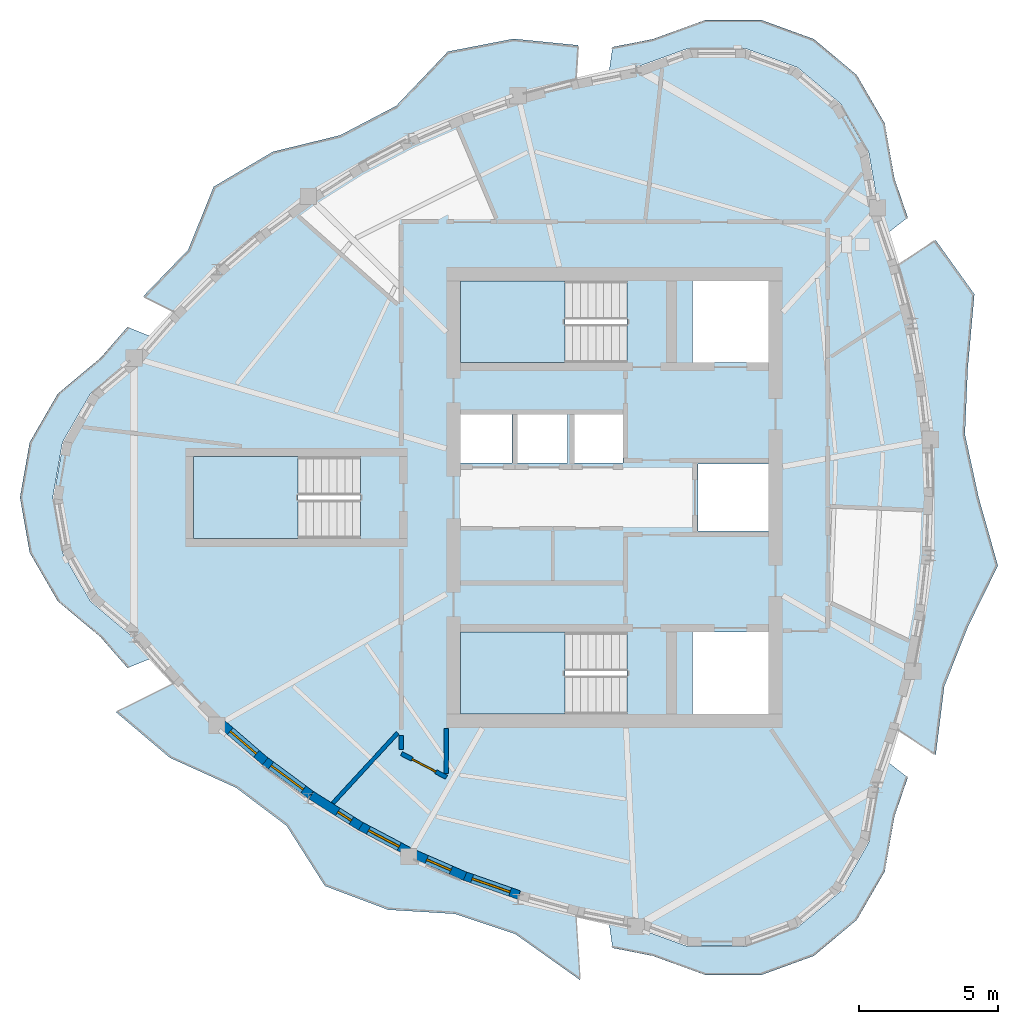
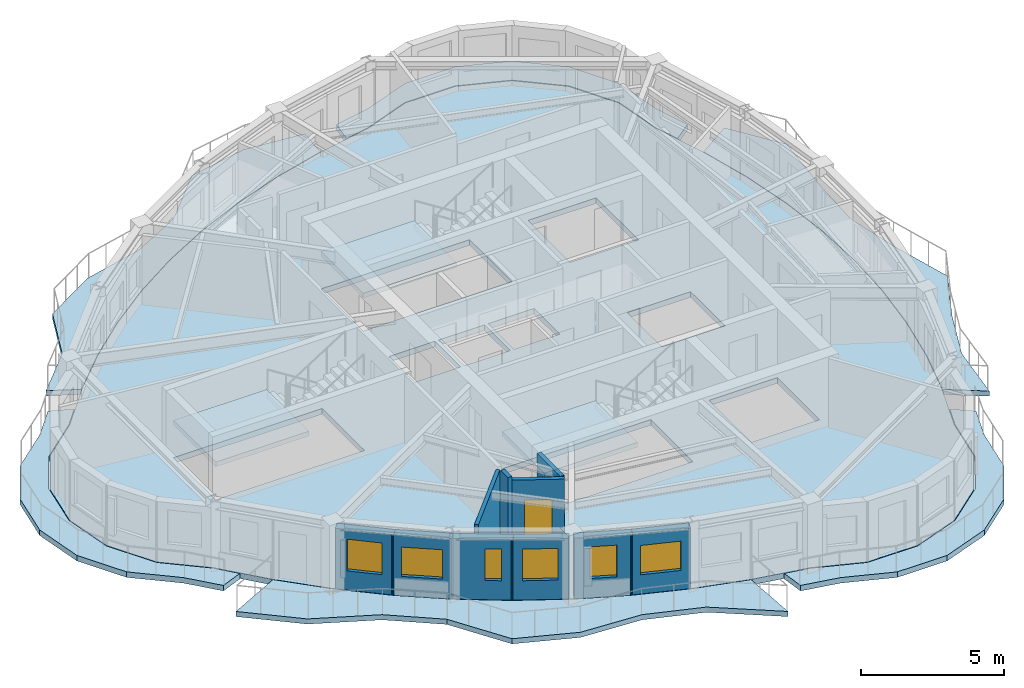
# One storey, part 2 of 12: 10 slabs, 10 walls, 6 windows, 1 door, 7 openings, 3 elements without a shape of their own.
"""IFC4 building model written with IfcOpenShell, lengths in metres."""

import ifcopenshell
import ifcopenshell.guid

model = None  # the IFC model being written
_history = None  # IfcOwnerHistory: only IFC2X3 demands one
_inside = {}  # id of a spatial element -> (the spatial element, [elements in it])
_under = {}  # id of a project, library or spatial element -> (it, [spatial elements below it])
_declared = {}  # id of a project -> (the project, [libraries it declares])
_typed = {}  # id of a type object -> (the type object, [elements of that type])
_made_of = {}  # id of a material, layer set ... -> (it, [elements and type objects made of it])


def new_model(schema):
    """Start an empty IFC model of exactly this schema.

    Asked for "IFC4X3", IfcOpenShell would pick the latest addendum, in which some entities
    have other attributes; the version numbers below select the first issue.
    IFC2X3 requires an IfcOwnerHistory on every rooted entity: one is made here for all.
    """
    global model, _history
    if schema == "IFC4X3":
        model = ifcopenshell.file(schema_version=(4, 3, 0, 0))
    else:
        model = ifcopenshell.file(schema=schema)
    _inside.clear()
    _under.clear()
    _declared.clear()
    _typed.clear()
    _made_of.clear()
    _history = None
    if model.schema == "IFC2X3":
        org = make("IfcOrganization", Name="unknown")
        user = make(
            "IfcPersonAndOrganization",
            ThePerson=make("IfcPerson", FamilyName="unknown"),
            TheOrganization=org,
        )
        app = make(
            "IfcApplication",
            ApplicationDeveloper=org,
            Version="unknown",
            ApplicationFullName="unknown",
            ApplicationIdentifier="unknown",
        )
        _history = make(
            "IfcOwnerHistory",
            OwningUser=user,
            OwningApplication=app,
            ChangeAction="ADDED",
            CreationDate=0,
        )
    return model


def make(cls, **values):
    """One entity of the class cls with the attributes given. An attribute that is None is left unset."""
    return model.create_entity(
        cls, **{name: value for name, value in values.items() if value is not None}
    )


def rooted(cls, **values):
    """An entity with a GlobalId (a new one), such as an element, a storey or a relation."""
    return make(cls, GlobalId=ifcopenshell.guid.new(), OwnerHistory=_history, **values)


def si_unit(unit_type, name, prefix=None):
    """IfcSIUnit, for example si_unit("LENGTHUNIT", "METRE", prefix="MILLI")."""
    return make("IfcSIUnit", UnitType=unit_type, Prefix=prefix, Name=name)


def assignment(units):
    """IfcUnitAssignment: the units of a project."""
    return None if units is None else make("IfcUnitAssignment", Units=units)


def point(xyz):
    """IfcCartesianPoint."""
    return None if xyz is None else make("IfcCartesianPoint", Coordinates=xyz)


def direction(xyz):
    """IfcDirection."""
    return None if xyz is None else make("IfcDirection", DirectionRatios=xyz)


def frame(location, z_axis=None, x_axis=None):
    """IfcAxis2Placement3D, a coordinate frame: its origin and axes. An axis left out is left unset."""
    return make(
        "IfcAxis2Placement3D",
        Location=point(location),
        Axis=direction(z_axis),
        RefDirection=direction(x_axis),
    )


def frame_2d(location, x_axis=None):
    """IfcAxis2Placement2D, a coordinate frame in the plane: its origin and x axis."""
    return make(
        "IfcAxis2Placement2D", Location=point(location), RefDirection=direction(x_axis)
    )


def origin():
    """The frame at (0, 0, 0) with its axes left unset."""
    return frame((0.0, 0.0, 0.0))


def place(relative_to, where):
    """IfcLocalPlacement: puts the frame where relative to a parent placement (None: the world)."""
    return make(
        "IfcLocalPlacement", PlacementRelTo=relative_to, RelativePlacement=where
    )


def context(
    kind, dimensions, precision=None, world=None, true_north=None, identifier=None
):
    """IfcGeometricRepresentationContext, for example the 3D "Model" context."""
    return make(
        "IfcGeometricRepresentationContext",
        ContextIdentifier=identifier,
        ContextType=kind,
        CoordinateSpaceDimension=dimensions,
        Precision=precision,
        WorldCoordinateSystem=world,
        TrueNorth=true_north,
    )


def subcontext(parent, identifier, kind, view, scale=None):
    """IfcGeometricRepresentationSubContext, for example "Body" below "Model"."""
    return make(
        "IfcGeometricRepresentationSubContext",
        ContextIdentifier=identifier,
        ContextType=kind,
        ParentContext=parent,
        TargetScale=scale,
        TargetView=view,
    )


def project(units=None, contexts=None):
    """IfcProject with its units and contexts."""
    return rooted(
        "IfcProject",
        Name="project",
        RepresentationContexts=contexts,
        UnitsInContext=assignment(units),
    )


def spatial(cls, under=None, at=None, **own):
    """A site, building, storey or space (cls), placed at a placement, below another one or the project."""
    s = rooted(cls, ObjectPlacement=at, **own)
    if under is not None:
        _under.setdefault(under.id(), (under, []))[1].append(s)
    return s


def polyline(points):
    """IfcPolyline through the points."""
    return make("IfcPolyline", Points=[point(p) for p in points])


def profile(cls, at=None, kind="AREA", **sizes):
    """A parametric profile (cls). Its sizes go by their IFC names, for example OverallWidth=200.0."""
    return make(cls, ProfileType=kind, Position=at, **sizes)


def rectangle(**sizes):
    """IfcRectangleProfileDef."""
    return profile("IfcRectangleProfileDef", **sizes)


def outline(outer, holes=None, kind="AREA"):
    """IfcArbitraryClosedProfileDef: a profile drawn as a closed curve; with holes, ...WithVoids."""
    if holes is None:
        return make("IfcArbitraryClosedProfileDef", ProfileType=kind, OuterCurve=outer)
    return make(
        "IfcArbitraryProfileDefWithVoids",
        ProfileType=kind,
        OuterCurve=outer,
        InnerCurves=holes,
    )


def extrude(swept, where, along, depth):
    """IfcExtrudedAreaSolid: the profile swept, set in the frame where, extruded along a direction by depth."""
    return make(
        "IfcExtrudedAreaSolid",
        SweptArea=swept,
        Position=where,
        ExtrudedDirection=direction(along),
        Depth=depth,
    )


def shape(context_of_items, identifier, shape_type, items):
    """IfcShapeRepresentation: the items that make up one representation, for example the "Body"."""
    return make(
        "IfcShapeRepresentation",
        ContextOfItems=context_of_items,
        RepresentationIdentifier=identifier,
        RepresentationType=shape_type,
        Items=items,
    )


def source(mapping_origin, context_of_items, identifier, shape_type, items):
    """IfcRepresentationMap: a shape defined once, which mapped items show again and again."""
    return make(
        "IfcRepresentationMap",
        MappingOrigin=mapping_origin,
        MappedRepresentation=shape(context_of_items, identifier, shape_type, items),
    )


def transform(
    local_origin,
    x_axis=None,
    y_axis=None,
    z_axis=None,
    scale=None,
    scale2=None,
    scale3=None,
    uniform=True,
):
    """IfcCartesianTransformationOperator3D, or its non-uniform kind. x_axis, y_axis, z_axis: its Axis1, 2, 3."""
    if uniform:
        return make(
            "IfcCartesianTransformationOperator3D",
            Axis1=direction(x_axis),
            Axis2=direction(y_axis),
            LocalOrigin=point(local_origin),
            Scale=scale,
            Axis3=direction(z_axis),
        )
    return make(
        "IfcCartesianTransformationOperator3DnonUniform",
        Axis1=direction(x_axis),
        Axis2=direction(y_axis),
        LocalOrigin=point(local_origin),
        Scale=scale,
        Axis3=direction(z_axis),
        Scale2=scale2,
        Scale3=scale3,
    )


def mapped(mapping_source, mapping_target):
    """IfcMappedItem: shows the shape of a source again, moved by a transform."""
    return make(
        "IfcMappedItem", MappingSource=mapping_source, MappingTarget=mapping_target
    )


def material(Name=None, Category=None):
    """IfcMaterial."""
    return make("IfcMaterial", Name=Name, Category=Category)


def layer(
    of_material, thickness, ventilated=None, Name=None, Category=None, Priority=None
):
    """IfcMaterialLayer: one layer of a wall or slab, of a material (None: an air gap)."""
    return make(
        "IfcMaterialLayer",
        Material=of_material,
        LayerThickness=thickness,
        IsVentilated=ventilated,
        Name=Name,
        Category=Category,
        Priority=Priority,
    )


def layer_set(layers, Name=None):
    """IfcMaterialLayerSet."""
    return make("IfcMaterialLayerSet", MaterialLayers=layers, LayerSetName=Name)


def made_of(thing, what):
    """Note that an element or type object is made of a material, layer set ...; save() writes the relation."""
    if what is not None:
        _made_of.setdefault(what.id(), (what, []))[1].append(thing)
    return thing


def type_object(cls, material=None, **own):
    """A type object (cls), such as IfcWallType, which elements share."""
    return made_of(rooted(cls, **own), material)


def element(
    cls,
    number,
    at=None,
    inside=None,
    cuts=None,
    type_object=None,
    material=None,
    context=None,
    identifier="Body",
    shape_type=None,
    held_by="IfcProductDefinitionShape",
    body=None,
    shapes=None,
    **own,
):
    """One element of the class cls, such as IfcWall. Its Tag is "e" and its number.

    at: its placement. inside: the storey or other place that contains it. cuts: it is an
    opening in that element (IfcRelVoidsElement). A single representation is given by context,
    identifier, shape_type and body (its items); several are given by shapes. held_by: the class
    of the entity that holds the representations. save() writes the other relations.
    """
    e = rooted(cls, Tag="e%d" % number, ObjectPlacement=at, **own)
    if body is not None:
        shapes = [shape(context, identifier, shape_type, body)]
    if shapes is not None:
        e.Representation = make(held_by, Representations=shapes)
    if inside is not None:
        _inside.setdefault(inside.id(), (inside, []))[1].append(e)
    if cuts is not None:
        rooted(
            "IfcRelVoidsElement", RelatingBuildingElement=cuts, RelatedOpeningElement=e
        )
    if type_object is not None:
        _typed.setdefault(type_object.id(), (type_object, []))[1].append(e)
    return made_of(e, material)


def fill(opening, filler):
    """IfcRelFillsElement: the door or window that sits in an opening."""
    return rooted(
        "IfcRelFillsElement",
        RelatingOpeningElement=opening,
        RelatedBuildingElement=filler,
    )


def aggregate(whole, parts):
    """IfcRelAggregates: a whole, such as a stair, and the parts it consists of."""
    return rooted("IfcRelAggregates", RelatingObject=whole, RelatedObjects=parts)


def save(model, path):
    """Write the relations noted so far, then the file.

    IfcRelAggregates (storeys below a building ...), IfcRelContainedInSpatialStructure (elements
    in a storey), IfcRelDefinesByType, IfcRelAssociatesMaterial and IfcRelDeclares: one each for
    every whole, place, type object, material and project.
    """
    for whole, parts in _under.values():
        aggregate(whole, parts)
    for where, things in _inside.values():
        rooted(
            "IfcRelContainedInSpatialStructure",
            RelatedElements=things,
            RelatingStructure=where,
        )
    for kind, things in _typed.values():
        rooted("IfcRelDefinesByType", RelatedObjects=things, RelatingType=kind)
    for what, things in _made_of.values():
        rooted("IfcRelAssociatesMaterial", RelatedObjects=things, RelatingMaterial=what)
    for by, libraries in _declared.values():
        rooted("IfcRelDeclares", RelatingContext=by, RelatedDefinitions=libraries)
    model.write(path)


model = new_model("IFC4")

# Units and contexts
model_context = context("Model", 3, precision=1e-05, world=origin(), true_north=direction((0.0, 1.0)))
body_context = subcontext(model_context, "Body", "Model", "MODEL_VIEW")
ifc_project = project(units=[si_unit("LENGTHUNIT", "METRE"), si_unit("AREAUNIT", "SQUARE_METRE"), si_unit("VOLUMEUNIT", "CUBIC_METRE"), si_unit("PLANEANGLEUNIT", "RADIAN"), si_unit("MASSUNIT", "GRAM", prefix="KILO")], contexts=[model_context])

# Site, building, storey
site_placement = place(None, origin())
site = spatial("IfcSite", under=ifc_project, at=site_placement, CompositionType="ELEMENT")
building_placement = place(site_placement, origin())
building = spatial("IfcBuilding", under=site, at=building_placement, Name="Qafzar Sky-Pleat Residences", CompositionType="ELEMENT")
storey_placement = place(building_placement, frame((0.0, 0.0, 224.39990234375)))
storey = spatial("IfcBuildingStorey", under=building, at=storey_placement, Name="L67", CompositionType="ELEMENT", Elevation=224.39990234375)

# Slabs
ifc_material_1 = material(Name="Concrete C40/50", Category="concrete")
ifc_layer_1 = layer(ifc_material_1, 0.219970703125)
ifc_layer_set_1 = layer_set([ifc_layer_1], Name="Concrete C40/50")
slab_type_1 = type_object("IfcSlabType", Name="SLAB-BAL-220", PredefinedType="USERDEFINED", material=ifc_layer_set_1)
slab_1_placement = place(storey_placement, frame((0.0, 0.0, -0.219970703125)))
element("IfcSlab", 1, at=slab_1_placement, inside=storey, type_object=slab_type_1, Name="L67 Pleated Stone Balcony 1", ObjectType="BALCONY", PredefinedType="USERDEFINED", context=body_context, shape_type="SweptSolid", body=[
    extrude(outline(polyline([(41.101806640625, 19.736083984375), (41.498779296875, 21.823974609375), (41.737060546875, 23.911865234375), (41.81640625, 26.0), (41.737060546875, 28.088134765625), (41.498779296875, 30.176025390625), (41.101806640625, 32.263916015625), (40.5458984375, 34.3515625), (41.909423828125, 35.25927734375), (43.30126953125, 33.315673828125), (43.063720703125, 30.66015625), (42.9609375, 28.274169921875), (43.454345703125, 26.0), (44.1474609375, 23.54541015625), (43.063720703125, 21.33984375), (42.218505859375, 19.201904296875), (41.909423828125, 16.74072265625), (40.5458984375, 17.6484375), (41.101806640625, 19.736083984375)])), origin(), (0.0, 0.0, 1.0), 0.219970703125),
])
slab_2_placement = place(storey_placement, frame((0.0, 0.0, -0.219970703125)))
element("IfcSlab", 2, at=slab_2_placement, inside=storey, type_object=slab_type_1, Name="L67 Pleated Stone Balcony 2", ObjectType="BALCONY", PredefinedType="USERDEFINED", context=body_context, shape_type="SweptSolid", body=[
    extrude(outline(polyline([(26.873779296875, 40.478515625), (24.8671875, 39.7783203125), (22.939697265625, 38.940673828125), (21.091796875, 37.96533203125), (19.3232421875, 36.8525390625), (17.634033203125, 35.602294921875), (16.0244140625, 34.214599609375), (14.494140625, 32.689208984375), (13.385009765625, 33.23876953125), (15.00341796875, 34.914794921875), (15.924072265625, 37.186279296875), (18.050537109375, 38.4443359375), (20.472900390625, 39.03759765625), (22.489013671875, 40.09375), (24.350341796875, 42.051025390625), (26.7158203125, 42.51025390625), (29.03857421875, 42.276611328125), (28.959716796875, 41.041015625), (26.873779296875, 40.478515625)])), origin(), (0.0, 0.0, 1.0), 0.219970703125),
])
slab_3_placement = place(storey_placement, frame((0.0, 0.0, -0.219970703125)))
element("IfcSlab", 3, at=slab_3_placement, inside=storey, type_object=slab_type_1, Name="L67 Pleated Stone Balcony 3", ObjectType="BALCONY", PredefinedType="USERDEFINED", context=body_context, shape_type="SweptSolid", body=[
    extrude(outline(polyline([(16.0244140625, 17.785400390625), (17.634033203125, 16.397705078125), (19.3232421875, 15.1474609375), (21.091796875, 14.03466796875), (22.939697265625, 13.059326171875), (24.8671875, 12.2216796875), (26.873779296875, 11.521484375), (28.959716796875, 10.958984375), (29.108154296875, 8.6328125), (26.77783203125, 10.287353515625), (24.5927734375, 11.014404296875), (22.197509765625, 11.161376953125), (19.926513671875, 12.01611328125), (18.550048828125, 14.180419921875), (16.725830078125, 15.556396484375), (14.34375, 16.6328125), (12.405517578125, 18.276123046875), (14.494140625, 19.310791015625), (16.0244140625, 17.785400390625)])), origin(), (0.0, 0.0, 1.0), 0.219970703125),
])
ifc_layer_2 = layer(ifc_material_1, 0.239990234375)
ifc_layer_set_2 = layer_set([ifc_layer_2], Name="Concrete C40/50")
slab_type_2 = type_object("IfcSlabType", Name="SLAB-FLR-240", PredefinedType="FLOOR", material=ifc_layer_set_2)
slab_4_placement = place(storey_placement, frame((0.0, 0.0, -0.239990234375)))
element("IfcSlab", 4, at=slab_4_placement, inside=storey, type_object=slab_type_2, Name="L67 Structural Floor Slab", PredefinedType="FLOOR", context=body_context, shape_type="SweptSolid", body=[
    extrude(outline(polyline([(13.054931640625, 31.02294921875), (11.511962890625, 29.728271484375), (10.5048828125, 27.983642578125), (10.155029296875, 26.0), (10.5048828125, 24.016357421875), (11.511962890625, 22.271728515625), (13.054931640625, 20.97705078125), (14.5048828125, 19.31591796875), (16.0341796875, 17.792236328125), (17.642822265625, 16.406005859375), (19.330810546875, 15.15673828125), (21.097900390625, 14.044921875), (22.944091796875, 13.070556640625), (24.869873046875, 12.2333984375), (26.874755859375, 11.533447265625), (28.958984375, 10.970947265625), (31.12255859375, 10.5458984375), (33.015380859375, 9.856689453125), (35.02978515625, 9.856689453125), (36.922607421875, 10.5458984375), (38.465576171875, 11.840576171875), (39.47265625, 13.5849609375), (39.822509765625, 15.568603515625), (40.535888671875, 17.655029296875), (41.0908203125, 19.7412109375), (41.4873046875, 21.827392578125), (41.72509765625, 23.913818359375), (41.804443359375, 26.0), (41.72509765625, 28.086181640625), (41.4873046875, 30.172607421875), (41.0908203125, 32.2587890625), (40.535888671875, 34.344970703125), (39.822509765625, 36.431396484375), (39.47265625, 38.4150390625), (38.465576171875, 40.159423828125), (36.922607421875, 41.4541015625), (35.02978515625, 42.143310546875), (33.015380859375, 42.143310546875), (31.12255859375, 41.4541015625), (28.958984375, 41.029052734375), (26.874755859375, 40.466552734375), (24.869873046875, 39.7666015625), (22.944091796875, 38.929443359375), (21.097900390625, 37.955078125), (19.330810546875, 36.84326171875), (17.642822265625, 35.593994140625), (16.0341796875, 34.207763671875), (14.5048828125, 32.68408203125), (13.054931640625, 31.02294921875)]), holes=[polyline([(30.797119140625, 21.14990234375), (24.800048828125, 21.14990234375), (24.800048828125, 18.199951171875), (30.797119140625, 18.199951171875), (30.797119140625, 21.14990234375)]), polyline([(30.797119140625, 33.800048828125), (24.800048828125, 33.800048828125), (24.800048828125, 30.85009765625), (30.797119140625, 30.85009765625), (30.797119140625, 33.800048828125)]), polyline([(21.197021484375, 27.47509765625), (15.199951171875, 27.47509765625), (15.199951171875, 24.52490234375), (21.197021484375, 24.52490234375), (21.197021484375, 27.47509765625)]), polyline([(24.800048828125, 27.25), (26.64990234375, 27.25), (26.64990234375, 29.050048828125), (24.800048828125, 29.050048828125), (24.800048828125, 27.25)]), polyline([(26.800048828125, 27.25), (28.64990234375, 27.25), (28.64990234375, 29.050048828125), (26.800048828125, 29.050048828125), (26.800048828125, 27.25)]), polyline([(28.800048828125, 27.25), (30.64990234375, 27.25), (30.64990234375, 29.050048828125), (28.800048828125, 29.050048828125), (28.800048828125, 27.25)]), polyline([(33.14990234375, 18.199951171875), (35.89990234375, 18.199951171875), (35.89990234375, 21.14990234375), (33.14990234375, 21.14990234375), (33.14990234375, 18.199951171875)]), polyline([(33.14990234375, 30.85009765625), (35.89990234375, 30.85009765625), (35.89990234375, 33.800048828125), (33.14990234375, 33.800048828125), (33.14990234375, 30.85009765625)]), polyline([(33.35009765625, 24.800048828125), (35.89990234375, 24.800048828125), (35.89990234375, 27.199951171875), (33.35009765625, 27.199951171875), (33.35009765625, 24.800048828125)])]), origin(), (0.0, 0.0, 1.0), 0.239990234375),
])

# Stair, slab
stair_type = type_object("IfcStairType", Name="STAIR-H320", PredefinedType="HALF_TURN_STAIR", material=ifc_material_1)
stair_1_placement = place(storey_placement, origin())
stair_1 = element("IfcStair", 5, at=stair_1_placement, inside=storey, type_object=stair_type, Name="L67 Protected Exit Stair ST1", PredefinedType="HALF_TURN_STAIR")
ifc_layer_3 = layer(ifc_material_1, 0.199951171875)
ifc_layer_set_3 = layer_set([ifc_layer_3], Name="Concrete C40/50")
slab_type_3 = type_object("IfcSlabType", Name="SLAB-LANDING-200", PredefinedType="LANDING", material=ifc_layer_set_3)
slab_5_placement = place(storey_placement, frame((0.0, 0.0, 1.400146484375)))
slab_5 = element("IfcSlab", 6, at=slab_5_placement, type_object=slab_type_3, Name="ST1 landing 1", PredefinedType="LANDING", context=body_context, shape_type="SweptSolid", body=[
    extrude(outline(polyline([(28.56005859375, 21.14990234375), (24.800048828125, 21.14990234375), (24.800048828125, 18.199951171875), (28.56005859375, 18.199951171875), (28.56005859375, 21.14990234375)])), origin(), (0.0, 0.0, 1.0), 0.199951171875),
])
aggregate(stair_1, [slab_5])

stair_2_placement = place(storey_placement, origin())
stair_2 = element("IfcStair", 7, at=stair_2_placement, inside=storey, type_object=stair_type, Name="L67 Protected Exit Stair ST2", PredefinedType="HALF_TURN_STAIR")
slab_6_placement = place(storey_placement, frame((0.0, 0.0, 1.400146484375)))
slab_6 = element("IfcSlab", 8, at=slab_6_placement, type_object=slab_type_3, Name="ST2 landing 1", PredefinedType="LANDING", context=body_context, shape_type="SweptSolid", body=[
    extrude(outline(polyline([(28.56005859375, 33.800048828125), (24.800048828125, 33.800048828125), (24.800048828125, 30.85009765625), (28.56005859375, 30.85009765625), (28.56005859375, 33.800048828125)])), origin(), (0.0, 0.0, 1.0), 0.199951171875),
])
aggregate(stair_2, [slab_6])

stair_3_placement = place(storey_placement, origin())
stair_3 = element("IfcStair", 9, at=stair_3_placement, inside=storey, type_object=stair_type, Name="L67 Protected Exit Stair ST3", PredefinedType="HALF_TURN_STAIR")
slab_7_placement = place(storey_placement, frame((0.0, 0.0, 1.400146484375)))
slab_7 = element("IfcSlab", 10, at=slab_7_placement, type_object=slab_type_3, Name="ST3 landing 1", PredefinedType="LANDING", context=body_context, shape_type="SweptSolid", body=[
    extrude(outline(polyline([(18.9599609375, 27.47509765625), (15.199951171875, 27.47509765625), (15.199951171875, 24.52490234375), (18.9599609375, 24.52490234375), (18.9599609375, 27.47509765625)])), origin(), (0.0, 0.0, 1.0), 0.199951171875),
])
aggregate(stair_3, [slab_7])

# Slabs
ifc_layer_4 = layer(ifc_material_1, 0.235107421875)
ifc_layer_set_4 = layer_set([ifc_layer_4], Name="Concrete C40/50")
slab_type_4 = type_object("IfcSlabType", Name="SLAB-TER-235", PredefinedType="USERDEFINED", material=ifc_layer_set_4)
slab_8_placement = place(storey_placement, frame((0.0, 0.0, -0.23486328125)))
element("IfcSlab", 11, at=slab_8_placement, inside=storey, type_object=slab_type_4, Name="L67 Shared-Kitchen Corner Terrace 1", ObjectType="TERRACE", PredefinedType="USERDEFINED", context=body_context, shape_type="SweptSolid", body=[
    extrude(outline(polyline([(13.037353515625, 31.040771484375), (11.495849609375, 29.747314453125), (11.494140625, 29.745849609375), (11.49267578125, 29.744384765625), (11.491455078125, 29.742431640625), (11.490234375, 29.74072265625), (10.483154296875, 27.99609375), (10.482177734375, 27.994384765625), (10.481201171875, 27.9921875), (10.480712890625, 27.990234375), (10.480224609375, 27.988037109375), (10.13037109375, 26.00439453125), (10.130126953125, 26.002197265625), (10.1298828125, 26.0), (10.130126953125, 25.997802734375), (10.13037109375, 25.99560546875), (10.480224609375, 24.011962890625), (10.480712890625, 24.009765625), (10.481201171875, 24.0078125), (10.482177734375, 24.005615234375), (10.483154296875, 24.00390625), (11.490234375, 22.25927734375), (11.491455078125, 22.257568359375), (11.49267578125, 22.255615234375), (11.494140625, 22.254150390625), (11.495849609375, 22.252685546875), (13.037353515625, 20.959228515625), (13.685546875, 20.216552734375), (12.8193359375, 19.86669921875), (11.85009765625, 20.97705078125), (10.306884765625, 22.271728515625), (9.2998046875, 24.016357421875), (8.949951171875, 26.0), (9.2998046875, 27.983642578125), (10.306884765625, 29.728271484375), (11.85009765625, 31.02294921875), (12.8193359375, 32.13330078125), (13.685546875, 31.783447265625), (13.037353515625, 31.040771484375)])), origin(), (0.0, 0.0, 1.0), 0.23486328125),
])
slab_9_placement = place(storey_placement, frame((0.0, 0.0, -0.23486328125)))
element("IfcSlab", 12, at=slab_9_placement, inside=storey, type_object=slab_type_4, Name="L67 Shared-Kitchen Corner Terrace 2", ObjectType="TERRACE", PredefinedType="USERDEFINED", context=body_context, shape_type="SweptSolid", body=[
    extrude(outline(polyline([(31.72509765625, 42.497802734375), (33.617919921875, 43.186767578125), (35.632080078125, 43.186767578125), (37.52490234375, 42.497802734375), (39.068115234375, 41.202880859375), (40.0751953125, 39.45849609375), (40.425048828125, 37.474853515625), (40.902099609375, 36.080078125), (40.165771484375, 35.5048828125), (39.8466796875, 36.4375), (39.497314453125, 38.419189453125), (39.496826171875, 38.42138671875), (39.49609375, 38.423583984375), (39.495361328125, 38.425537109375), (39.494384765625, 38.427490234375), (38.4873046875, 40.171875), (38.486083984375, 40.173583984375), (38.48486328125, 40.175537109375), (38.4833984375, 40.177001953125), (38.481689453125, 40.1787109375), (36.938720703125, 41.473388671875), (36.936767578125, 41.474609375), (36.93505859375, 41.475830078125), (36.93310546875, 41.476806640625), (36.93115234375, 41.477783203125), (35.038330078125, 42.166748046875), (35.0361328125, 42.167236328125), (35.033935546875, 42.167724609375), (35.031982421875, 42.168212890625), (35.02978515625, 42.168212890625), (33.015380859375, 42.168212890625), (33.01318359375, 42.168212890625), (33.010986328125, 42.167724609375), (33.0087890625, 42.167236328125), (33.006591796875, 42.166748046875), (31.11572265625, 41.478515625), (30.148681640625, 41.288330078125), (30.27880859375, 42.21337890625), (31.72509765625, 42.497802734375)])), origin(), (0.0, 0.0, 1.0), 0.23486328125),
])
slab_10_placement = place(storey_placement, frame((0.0, 0.0, -0.23486328125)))
element("IfcSlab", 13, at=slab_10_placement, inside=storey, type_object=slab_type_4, Name="L67 Shared-Kitchen Corner Terrace 3", ObjectType="TERRACE", PredefinedType="USERDEFINED", context=body_context, shape_type="SweptSolid", body=[
    extrude(outline(polyline([(40.425048828125, 14.525146484375), (40.0751953125, 12.54150390625), (39.068115234375, 10.797119140625), (37.52490234375, 9.502197265625), (35.632080078125, 8.813232421875), (33.617919921875, 8.813232421875), (31.72509765625, 9.502197265625), (30.27880859375, 9.78662109375), (30.148681640625, 10.711669921875), (31.11572265625, 10.521484375), (33.006591796875, 9.833251953125), (33.0087890625, 9.832763671875), (33.010986328125, 9.832275390625), (33.01318359375, 9.831787109375), (33.015380859375, 9.831787109375), (35.02978515625, 9.831787109375), (35.031982421875, 9.831787109375), (35.033935546875, 9.832275390625), (35.0361328125, 9.832763671875), (35.038330078125, 9.833251953125), (36.93115234375, 10.522216796875), (36.93310546875, 10.523193359375), (36.93505859375, 10.524169921875), (36.936767578125, 10.525390625), (36.938720703125, 10.526611328125), (38.481689453125, 11.8212890625), (38.4833984375, 11.822998046875), (38.48486328125, 11.824462890625), (38.486083984375, 11.826416015625), (38.4873046875, 11.828125), (39.494384765625, 13.572509765625), (39.495361328125, 13.574462890625), (39.49609375, 13.576416015625), (39.496826171875, 13.57861328125), (39.497314453125, 13.580810546875), (39.8466796875, 15.5625), (40.165771484375, 16.4951171875), (40.902099609375, 15.919921875), (40.425048828125, 14.525146484375)])), origin(), (0.0, 0.0, 1.0), 0.23486328125),
])

# Wall, opening, door
ifc_material_2 = material(Name="Acoustic gypsum plasterboard partition", Category="gypsum")
ifc_layer_5 = layer(ifc_material_2, 0.159912109375)
ifc_layer_set_5 = layer_set([ifc_layer_5], Name="Acoustic gypsum plasterboard partition")
wall_type_1 = type_object("IfcWallType", Name="PART-COR-160", PredefinedType="PARTITIONING", material=ifc_layer_set_5)
wall_1_placement = place(storey_placement, frame((22.679931640625, 16.782958984375, 0.0), z_axis=(0.0, 0.0, 1.0), x_axis=(0.884403090344, -0.466723873174, 0.0)))
wall_1 = element("IfcWall", 14, at=wall_1_placement, inside=storey, type_object=wall_type_1, Name="L67 Partition Wall PART-L67-PW-008", PredefinedType="PARTITIONING", context=body_context, shape_type="SweptSolid", body=[
    extrude(rectangle(XDim=1.831787109375, YDim=0.159912109375, at=frame_2d((0.916015625, 0.0))), origin(), (0.0, 0.0, 1.0), 2.960205078125),
])
opening_1_placement = place(wall_1_placement, frame((0.435791015625, 0.0, 0.0)))
opening_1 = element("IfcOpeningElement", 15, at=opening_1_placement, cuts=wall_1, Name="Opening ID-06", PredefinedType="OPENING", context=body_context, shape_type="SweptSolid", body=[
    extrude(rectangle(XDim=0.9599609375, YDim=2.10009765625, at=frame_2d((0.47998046875, 1.050048828125))), frame((0.0, 0.08984375, 0.0), z_axis=(0.0, -1.0, 0.0), x_axis=(1.0, 0.0, 0.0)), (0.0, 0.0, 1.0), 0.179931640625),
])
ifc_material_3 = material(Name="Timber-faced fire door", Category="wood")
door_type = type_object("IfcDoorType", Name="DR-STD-960", OperationType="NOTDEFINED", PredefinedType="DOOR", material=ifc_material_3)
shared_shape_1 = source(origin(), body_context, "Body", "SweptSolid", [
    extrude(rectangle(XDim=0.9599609375, YDim=2.10009765625, at=frame_2d((0.47998046875, 1.050048828125))), frame((0.0, 0.02490234375, 0.0), z_axis=(0.0, -1.0, 0.0), x_axis=(1.0, 0.0, 0.0)), (0.0, 0.0, 1.0), 0.050048828125),
])
door_placement = place(opening_1_placement, origin())
door = element("IfcDoor", 16, at=door_placement, inside=storey, type_object=door_type, Name="L67 Scholar Co-Working Workspace Door", OperationType="SINGLE_SWING_LEFT", OverallHeight=2.10009765625, OverallWidth=0.9599609375, PredefinedType="DOOR", context=body_context, shape_type="MappedRepresentation", body=[
    mapped(shared_shape_1, transform((0.0, 0.0, 0.0), x_axis=(1.0, 0.0, 0.0), y_axis=(0.0, 1.0, 0.0), z_axis=(0.0, 0.0, 1.0), scale=1.0)),
])
fill(opening_1, door)

# Walls
wall_2_placement = place(storey_placement, frame((24.300048828125, 16.068603515625, 0.0), z_axis=(0.0, 0.0, 1.0), x_axis=(0.0, 1.0, 0.0)))
element("IfcWall", 17, at=wall_2_placement, inside=storey, type_object=wall_type_1, Name="L67 Partition Wall PART-L67-PW-021", PredefinedType="PARTITIONING", context=body_context, shape_type="SweptSolid", body=[
    extrude(rectangle(XDim=1.623291015625, YDim=0.159912109375, at=frame_2d((0.8115234375, 0.0))), origin(), (0.0, 0.0, 1.0), 2.960205078125),
])
wall_3_placement = place(storey_placement, frame((22.679931640625, 16.923583984375, 0.0), z_axis=(0.0, 0.0, 1.0), x_axis=(0.0, 1.0, 0.0)))
element("IfcWall", 18, at=wall_3_placement, inside=storey, type_object=wall_type_1, Name="L67 Partition Wall PART-L67-PW-028", PredefinedType="PARTITIONING", context=body_context, shape_type="SweptSolid", body=[
    extrude(rectangle(XDim=0.5126953125, YDim=0.159912109375, at=frame_2d((0.25634765625, 0.0))), origin(), (0.0, 0.0, 1.0), 2.960205078125),
])
ifc_layer_6 = layer(ifc_material_2, 0.14501953125)
ifc_layer_set_6 = layer_set([ifc_layer_6], Name="Acoustic gypsum plasterboard partition")
wall_type_2 = type_object("IfcWallType", Name="PART-UNIT-145", PredefinedType="PARTITIONING", material=ifc_layer_set_6)
wall_4_placement = place(storey_placement, frame((20.21728515625, 15.001953125, 0.0), z_axis=(0.0, 0.0, 1.0), x_axis=(0.677579120291, 0.735449886631, 0.0)))
element("IfcWall", 19, at=wall_4_placement, inside=storey, type_object=wall_type_2, Name="L67 Partition Wall PART-L67-PW-016", PredefinedType="PARTITIONING", context=body_context, shape_type="SweptSolid", body=[
    extrude(rectangle(XDim=3.429931640625, YDim=0.14501953125, at=frame_2d((1.71484375, 0.0))), origin(), (0.0, 0.0, 1.0), 2.960205078125),
])

# Wall, opening, window
ifc_material_4 = material(Name="Precast concrete C40/50 with honed Riyadh limestone", Category="concrete")
ifc_layer_7 = layer(ifc_material_4, 0.320068359375)
ifc_layer_set_7 = layer_set([ifc_layer_7], Name="Precast concrete C40/50 with honed Riyadh limestone")
wall_type_3 = type_object("IfcWallType", Name="WALL-EXT-320", PredefinedType="SOLIDWALL", material=ifc_layer_set_7)
wall_5_placement = place(storey_placement, frame((16.206787109375, 17.854736328125, 0.0), z_axis=(0.0, 0.0, 1.0), x_axis=(0.757440107321, -0.652904651402, 0.0)))
wall_5 = element("IfcWall", 20, at=wall_5_placement, inside=storey, type_object=wall_type_3, Name="L67 Limestone Facade Wall 9", PredefinedType="SOLIDWALL", context=body_context, shape_type="SweptSolid", body=[
    extrude(rectangle(XDim=2.071533203125, YDim=0.320068359375, at=frame_2d((1.03564453125, 0.0))), origin(), (0.0, 0.0, 1.0), 2.580078125),
])
opening_2_placement = place(wall_5_placement, frame((0.40576171875, 0.0, 0.820068359375)))
opening_2 = element("IfcOpeningElement", 21, at=opening_2_placement, cuts=wall_5, Name="Opening WN-11", PredefinedType="OPENING", context=body_context, shape_type="SweptSolid", body=[
    extrude(rectangle(XDim=1.25, YDim=1.35009765625, at=frame_2d((0.625, 0.675048828125))), frame((0.0, 0.169921875, 0.0), z_axis=(0.0, -1.0, 0.0), x_axis=(1.0, 0.0, 0.0)), (0.0, 0.0, 1.0), 0.340087890625),
])
ifc_material_5 = material(Name="Solar-control low-E glass in bronze aluminium frame", Category="glass")
window_type_1 = type_object("IfcWindowType", Name="WIN-11", PartitioningType="SINGLE_PANEL", PredefinedType="WINDOW", material=ifc_material_5)
shared_shape_2 = source(origin(), body_context, "Body", "SweptSolid", [
    extrude(rectangle(XDim=1.25, YDim=1.35009765625, at=frame_2d((0.625, 0.675048828125))), frame((0.0, 0.030029296875, 0.0), z_axis=(0.0, -1.0, 0.0), x_axis=(1.0, 0.0, 0.0)), (0.0, 0.0, 1.0), 0.06005859375),
])
window_1_placement = place(opening_2_placement, origin())
window_1 = element("IfcWindow", 22, at=window_1_placement, inside=storey, type_object=window_type_1, Name="L67 Punched Facade Window 09", OverallHeight=1.35009765625, OverallWidth=1.25, PartitioningType="SINGLE_PANEL", PredefinedType="WINDOW", context=body_context, shape_type="MappedRepresentation", body=[
    mapped(shared_shape_2, transform((0.0, 0.0, 0.0), x_axis=(1.0, 0.0, 0.0), y_axis=(0.0, 1.0, 0.0), z_axis=(0.0, 0.0, 1.0), scale=1.0)),
])
fill(opening_2, window_1)

wall_6_placement = place(storey_placement, frame((17.70751953125, 16.55712890625, 0.0), z_axis=(0.0, 0.0, 1.0), x_axis=(0.803843001641, -0.594841515627, 0.0)))
wall_6 = element("IfcWall", 23, at=wall_6_placement, inside=storey, type_object=wall_type_3, Name="L67 Limestone Facade Wall 10", PredefinedType="SOLIDWALL", context=body_context, shape_type="SweptSolid", body=[
    extrude(rectangle(XDim=2.117919921875, YDim=0.320068359375, at=frame_2d((1.05908203125, 0.0))), origin(), (0.0, 0.0, 1.0), 2.580078125),
])
opening_3_placement = place(wall_6_placement, frame((0.343994140625, 0.0, 0.820068359375)))
opening_3 = element("IfcOpeningElement", 24, at=opening_3_placement, cuts=wall_6, Name="Opening WN-15", PredefinedType="OPENING", context=body_context, shape_type="SweptSolid", body=[
    extrude(rectangle(XDim=1.449951171875, YDim=1.25, at=frame_2d((0.72509765625, 0.625))), frame((0.0, 0.169921875, 0.0), z_axis=(0.0, -1.0, 0.0), x_axis=(1.0, 0.0, 0.0)), (0.0, 0.0, 1.0), 0.340087890625),
])
window_type_2 = type_object("IfcWindowType", Name="WIN-15", PartitioningType="SINGLE_PANEL", PredefinedType="WINDOW", material=ifc_material_5)
shared_shape_3 = source(origin(), body_context, "Body", "SweptSolid", [
    extrude(rectangle(XDim=1.449951171875, YDim=1.25, at=frame_2d((0.72509765625, 0.625))), frame((0.0, 0.030029296875, 0.0), z_axis=(0.0, -1.0, 0.0), x_axis=(1.0, 0.0, 0.0)), (0.0, 0.0, 1.0), 0.06005859375),
])
window_2_placement = place(opening_3_placement, origin())
window_2 = element("IfcWindow", 25, at=window_2_placement, inside=storey, type_object=window_type_2, Name="L67 Punched Facade Window 10", OverallHeight=1.25, OverallWidth=1.449951171875, PartitioningType="SINGLE_PANEL", PredefinedType="WINDOW", context=body_context, shape_type="MappedRepresentation", body=[
    mapped(shared_shape_3, transform((0.0, 0.0, 0.0), x_axis=(1.0, 0.0, 0.0), y_axis=(0.0, 1.0, 0.0), z_axis=(0.0, 0.0, 1.0), scale=1.0)),
])
fill(opening_3, window_2)

wall_7_placement = place(storey_placement, frame((19.432861328125, 15.281494140625, 0.0), z_axis=(0.0, 0.0, 1.0), x_axis=(0.84640512015, -0.532539550253, 0.0)))
wall_7 = element("IfcWall", 26, at=wall_7_placement, inside=storey, type_object=wall_type_3, Name="L67 Limestone Facade Wall 11", PredefinedType="SOLIDWALL", context=body_context, shape_type="SweptSolid", body=[
    extrude(rectangle(XDim=2.105712890625, YDim=0.320068359375, at=frame_2d((1.052734375, 0.0))), origin(), (0.0, 0.0, 1.0), 2.580078125),
])
opening_4_placement = place(wall_7_placement, frame((1.126708984375, 0.0, 0.820068359375)))
opening_4 = element("IfcOpeningElement", 27, at=opening_4_placement, cuts=wall_7, Name="Opening WN-17", PredefinedType="OPENING", context=body_context, shape_type="SweptSolid", body=[
    extrude(rectangle(XDim=0.580078125, YDim=1.35009765625, at=frame_2d((0.2900390625, 0.675048828125))), frame((0.0, 0.169921875, 0.0), z_axis=(0.0, -1.0, 0.0), x_axis=(1.0, 0.0, 0.0)), (0.0, 0.0, 1.0), 0.340087890625),
])
window_type_3 = type_object("IfcWindowType", Name="WIN-17", PartitioningType="SINGLE_PANEL", PredefinedType="WINDOW", material=ifc_material_5)
shared_shape_4 = source(origin(), body_context, "Body", "SweptSolid", [
    extrude(rectangle(XDim=0.580078125, YDim=1.35009765625, at=frame_2d((0.2900390625, 0.675048828125))), frame((0.0, 0.030029296875, 0.0), z_axis=(0.0, -1.0, 0.0), x_axis=(1.0, 0.0, 0.0)), (0.0, 0.0, 1.0), 0.06005859375),
])
window_3_placement = place(opening_4_placement, origin())
window_3 = element("IfcWindow", 28, at=window_3_placement, inside=storey, type_object=window_type_3, Name="L67 Punched Facade Window 11-2", OverallHeight=1.35009765625, OverallWidth=0.580078125, PartitioningType="SINGLE_PANEL", PredefinedType="WINDOW", context=body_context, shape_type="MappedRepresentation", body=[
    mapped(shared_shape_4, transform((0.0, 0.0, 0.0), x_axis=(1.0, 0.0, 0.0), y_axis=(0.0, 1.0, 0.0), z_axis=(0.0, 0.0, 1.0), scale=1.0)),
])
fill(opening_4, window_3)

wall_8_placement = place(storey_placement, frame((21.138916015625, 14.2041015625, 0.0), z_axis=(0.0, 0.0, 1.0), x_axis=(0.884376501522, -0.466774253312, 0.0)))
wall_8 = element("IfcWall", 29, at=wall_8_placement, inside=storey, type_object=wall_type_3, Name="L67 Limestone Facade Wall 12", PredefinedType="SOLIDWALL", context=body_context, shape_type="SweptSolid", body=[
    extrude(rectangle(XDim=2.03564453125, YDim=0.320068359375, at=frame_2d((1.017822265625, 0.0))), origin(), (0.0, 0.0, 1.0), 2.580078125),
])
opening_5_placement = place(wall_8_placement, frame((0.39794921875, 0.0, 0.820068359375)))
opening_5 = element("IfcOpeningElement", 30, at=opening_5_placement, cuts=wall_8, Name="Opening WN-11", PredefinedType="OPENING", context=body_context, shape_type="SweptSolid", body=[
    extrude(rectangle(XDim=1.25, YDim=1.35009765625, at=frame_2d((0.625, 0.675048828125))), frame((0.0, 0.169921875, 0.0), z_axis=(0.0, -1.0, 0.0), x_axis=(1.0, 0.0, 0.0)), (0.0, 0.0, 1.0), 0.340087890625),
])
window_4_placement = place(opening_5_placement, origin())
window_4 = element("IfcWindow", 31, at=window_4_placement, inside=storey, type_object=window_type_1, Name="L67 Punched Facade Window 12", OverallHeight=1.35009765625, OverallWidth=1.25, PartitioningType="SINGLE_PANEL", PredefinedType="WINDOW", context=body_context, shape_type="MappedRepresentation", body=[
    mapped(shared_shape_2, transform((0.0, 0.0, 0.0), x_axis=(1.0, 0.0, 0.0), y_axis=(0.0, 1.0, 0.0), z_axis=(0.0, 0.0, 1.0), scale=1.0)),
])
fill(opening_5, window_4)

wall_9_placement = place(storey_placement, frame((23.090576171875, 13.181396484375, 0.0), z_axis=(0.0, 0.0, 1.0), x_axis=(0.91708521945, -0.398691234249, 0.0)))
wall_9 = element("IfcWall", 32, at=wall_9_placement, inside=storey, type_object=wall_type_3, Name="L67 Limestone Facade Wall 13", PredefinedType="SOLIDWALL", context=body_context, shape_type="SweptSolid", body=[
    extrude(rectangle(XDim=2.047607421875, YDim=0.320068359375, at=frame_2d((1.02392578125, 0.0))), origin(), (0.0, 0.0, 1.0), 2.580078125),
])
opening_6_placement = place(wall_9_placement, frame((0.543701171875, 0.0, 0.820068359375)))
opening_6 = element("IfcOpeningElement", 33, at=opening_6_placement, cuts=wall_9, Name="Opening WN-12", PredefinedType="OPENING", context=body_context, shape_type="SweptSolid", body=[
    extrude(rectangle(XDim=0.949951171875, YDim=1.35009765625, at=frame_2d((0.47509765625, 0.675048828125))), frame((0.0, 0.169921875, 0.0), z_axis=(0.0, -1.0, 0.0), x_axis=(1.0, 0.0, 0.0)), (0.0, 0.0, 1.0), 0.340087890625),
])
window_type_4 = type_object("IfcWindowType", Name="WIN-12", PartitioningType="SINGLE_PANEL", PredefinedType="WINDOW", material=ifc_material_5)
shared_shape_5 = source(origin(), body_context, "Body", "SweptSolid", [
    extrude(rectangle(XDim=0.949951171875, YDim=1.35009765625, at=frame_2d((0.47509765625, 0.675048828125))), frame((0.0, 0.030029296875, 0.0), z_axis=(0.0, -1.0, 0.0), x_axis=(1.0, 0.0, 0.0)), (0.0, 0.0, 1.0), 0.06005859375),
])
window_5_placement = place(opening_6_placement, origin())
window_5 = element("IfcWindow", 34, at=window_5_placement, inside=storey, type_object=window_type_4, Name="L67 Punched Facade Window 13", OverallHeight=1.35009765625, OverallWidth=0.949951171875, PartitioningType="SINGLE_PANEL", PredefinedType="WINDOW", context=body_context, shape_type="MappedRepresentation", body=[
    mapped(shared_shape_5, transform((0.0, 0.0, 0.0), x_axis=(1.0, 0.0, 0.0), y_axis=(0.0, 1.0, 0.0), z_axis=(0.0, 0.0, 1.0), scale=1.0)),
])
fill(opening_6, window_5)

wall_10_placement = place(storey_placement, frame((24.88671875, 12.39697265625, 0.0), z_axis=(0.0, 0.0, 1.0), x_axis=(0.944131729267, -0.329568320371, 0.0)))
wall_10 = element("IfcWall", 35, at=wall_10_placement, inside=storey, type_object=wall_type_3, Name="L67 Limestone Facade Wall 14", PredefinedType="SOLIDWALL", context=body_context, shape_type="SweptSolid", body=[
    extrude(rectangle(XDim=2.1416015625, YDim=0.320068359375, at=frame_2d((1.07080078125, 0.0))), origin(), (0.0, 0.0, 1.0), 2.580078125),
])
opening_7_placement = place(wall_10_placement, frame((0.355712890625, 0.0, 0.820068359375)))
opening_7 = element("IfcOpeningElement", 36, at=opening_7_placement, cuts=wall_10, Name="Opening WN-15", PredefinedType="OPENING", context=body_context, shape_type="SweptSolid", body=[
    extrude(rectangle(XDim=1.449951171875, YDim=1.25, at=frame_2d((0.72509765625, 0.625))), frame((0.0, 0.169921875, 0.0), z_axis=(0.0, -1.0, 0.0), x_axis=(1.0, 0.0, 0.0)), (0.0, 0.0, 1.0), 0.340087890625),
])
window_6_placement = place(opening_7_placement, origin())
window_6 = element("IfcWindow", 37, at=window_6_placement, inside=storey, type_object=window_type_2, Name="L67 Punched Facade Window 14", OverallHeight=1.25, OverallWidth=1.449951171875, PartitioningType="SINGLE_PANEL", PredefinedType="WINDOW", context=body_context, shape_type="MappedRepresentation", body=[
    mapped(shared_shape_3, transform((0.0, 0.0, 0.0), x_axis=(1.0, 0.0, 0.0), y_axis=(0.0, 1.0, 0.0), z_axis=(0.0, 0.0, 1.0), scale=1.0)),
])
fill(opening_7, window_6)

save(model, "model.ifc")
